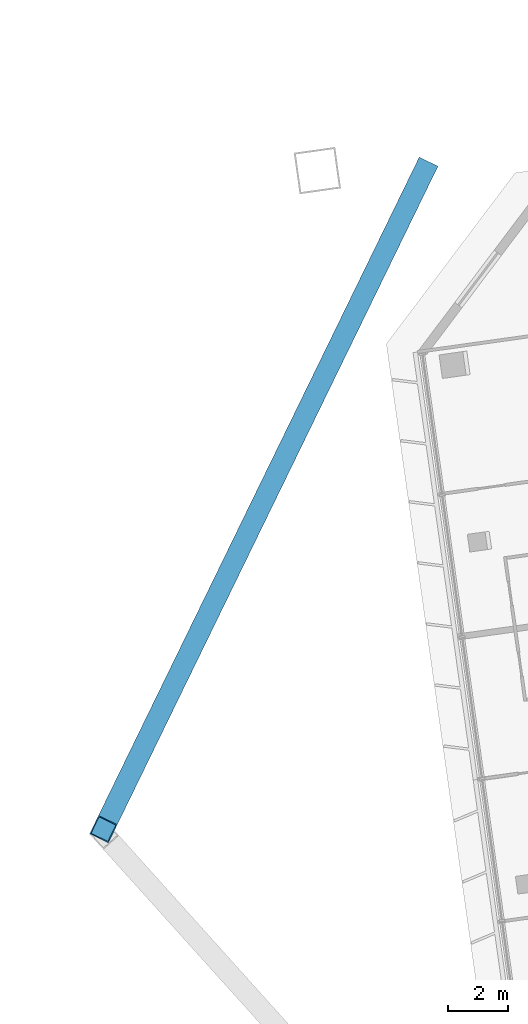
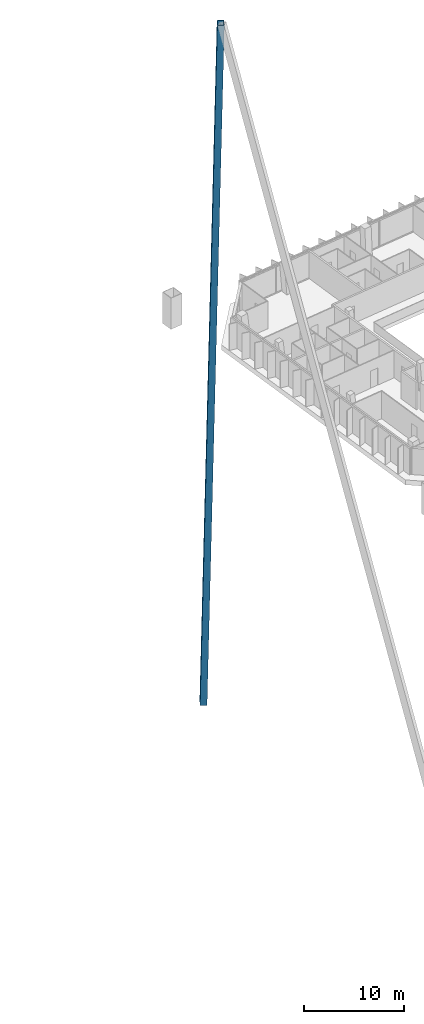
# One storey, part 9 of 26: 1 member.
"""IFC4 building model written with IfcOpenShell, lengths in metres."""

from ifc_helpers import new_model, si_unit, direction, frame, origin, origin_2d, place, context, subcontext, project, spatial, hollow_rectangle, extrude, material, material_profile, profile_set, type_object, element, save


model = new_model("IFC4")

# Units and contexts
model_context = context("Model", 3, precision=1e-05, world=origin(), true_north=direction((0.0, 1.0)))
body_context = subcontext(model_context, "Body", "Model", "MODEL_VIEW")
ifc_project = project(units=[si_unit("LENGTHUNIT", "METRE"), si_unit("AREAUNIT", "SQUARE_METRE"), si_unit("VOLUMEUNIT", "CUBIC_METRE"), si_unit("PLANEANGLEUNIT", "RADIAN"), si_unit("MASSUNIT", "GRAM", prefix="KILO")], contexts=[model_context])

# Site, building, storey
site_placement = place(None, origin())
site = spatial("IfcSite", under=ifc_project, at=site_placement, CompositionType="ELEMENT")
building_placement = place(site_placement, origin())
building = spatial("IfcBuilding", under=site, at=building_placement, Name="Mirante Cascada Hotel Towers", CompositionType="ELEMENT")
storey_placement = place(building_placement, frame((0.0, 0.0, 203.0)))
storey = spatial("IfcBuildingStorey", under=building, at=storey_placement, Name="L48", CompositionType="ELEMENT", Elevation=203.0)

# Member
ifc_material = material(Name="Steel ASTM A572 Gr 50", Category="steel")
ifc_material_profile = material_profile(ifc_material, hollow_rectangle(XDim=0.7, YDim=0.7, WallThickness=0.035, at=origin_2d()), Name="Box brace 700x700x35 ASTM A572 Gr 50")
ifc_profile_set = profile_set([ifc_material_profile], Name="Steel ASTM A572 Gr 50")
member_type = type_object("IfcMemberType", Name="Box brace 700x700x35 ASTM A572 Gr 50", PredefinedType="BRACE", material=ifc_profile_set)
member_placement = place(storey_placement, frame((25.132, 18.0102, -47.4676), z_axis=(-0.1044993, -0.2145247, 0.9711123), x_axis=(0.8990108, -0.4379264, 0.0)))
element("IfcMember", 1, at=member_placement, inside=storey, type_object=member_type, Name="brace T2 L48 2", PredefinedType="BRACE", context=body_context, shape_type="SweptSolid", body=[
    extrude(hollow_rectangle(XDim=0.7, YDim=0.7, WallThickness=0.035, at=origin_2d()), origin(), (0.0, 0.0, 1.0), 103.0753),
])

save(model, "model.ifc")
